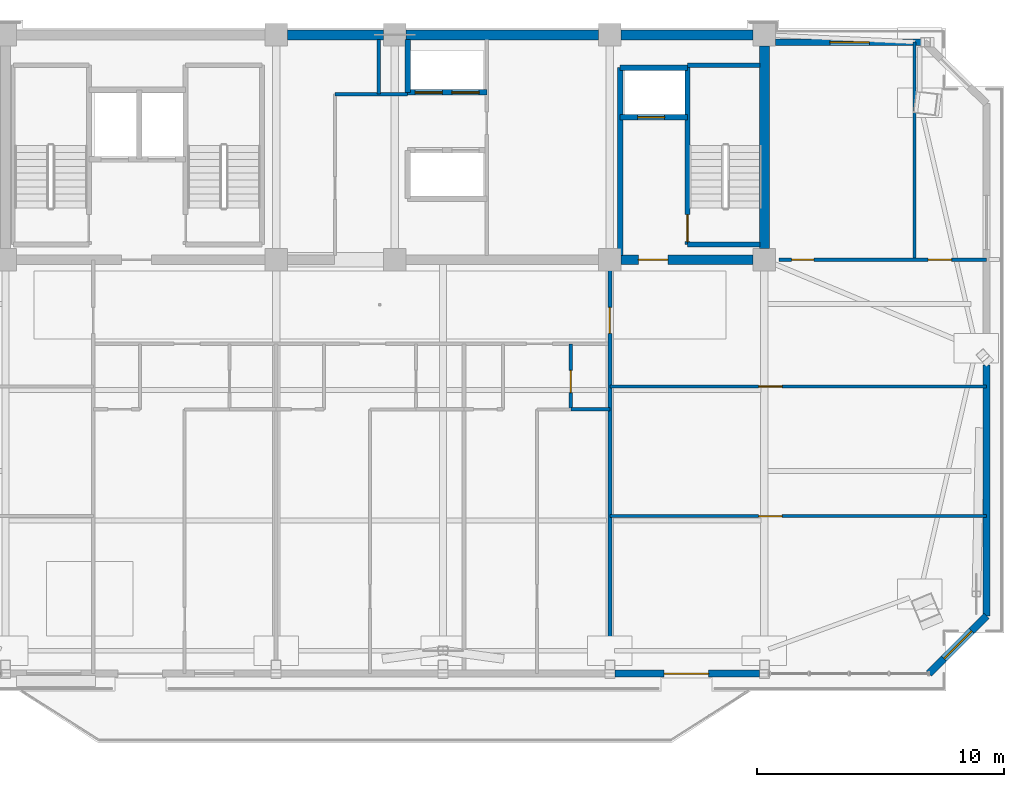
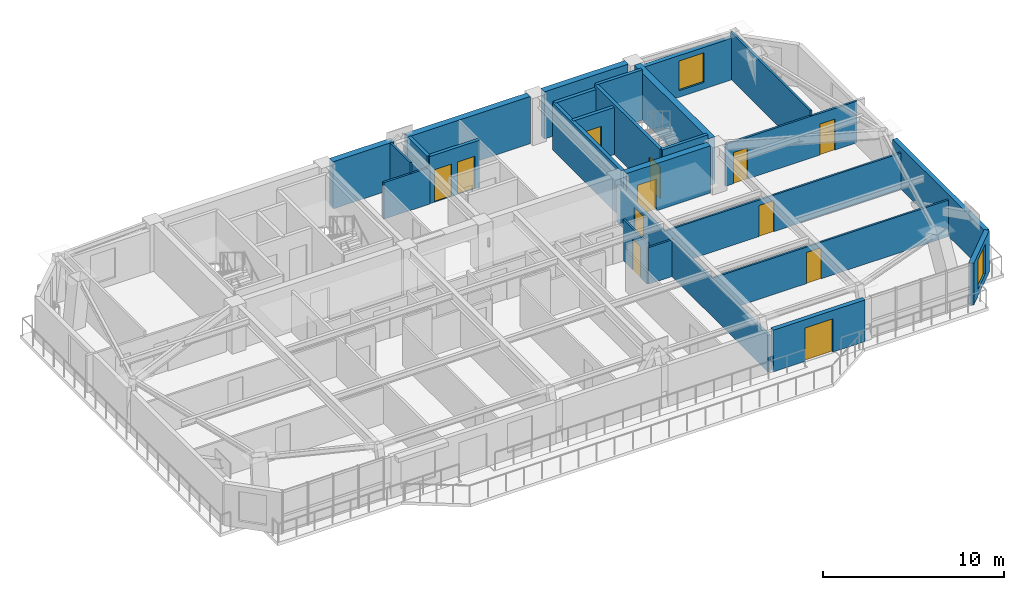
# One storey, part 8 of 14: 26 walls, 12 doors, 2 windows, 14 openings.
"""IFC4 building model written with IfcOpenShell, lengths in metres."""

import ifcopenshell
import ifcopenshell.guid

model = None  # the IFC model being written
_history = None  # IfcOwnerHistory: only IFC2X3 demands one
_inside = {}  # id of a spatial element -> (the spatial element, [elements in it])
_under = {}  # id of a project, library or spatial element -> (it, [spatial elements below it])
_declared = {}  # id of a project -> (the project, [libraries it declares])
_typed = {}  # id of a type object -> (the type object, [elements of that type])
_made_of = {}  # id of a material, layer set ... -> (it, [elements and type objects made of it])


def new_model(schema):
    """Start an empty IFC model of exactly this schema.

    Asked for "IFC4X3", IfcOpenShell would pick the latest addendum, in which some entities
    have other attributes; the version numbers below select the first issue.
    IFC2X3 requires an IfcOwnerHistory on every rooted entity: one is made here for all.
    """
    global model, _history
    if schema == "IFC4X3":
        model = ifcopenshell.file(schema_version=(4, 3, 0, 0))
    else:
        model = ifcopenshell.file(schema=schema)
    _inside.clear()
    _under.clear()
    _declared.clear()
    _typed.clear()
    _made_of.clear()
    _history = None
    if model.schema == "IFC2X3":
        org = make("IfcOrganization", Name="unknown")
        user = make(
            "IfcPersonAndOrganization",
            ThePerson=make("IfcPerson", FamilyName="unknown"),
            TheOrganization=org,
        )
        app = make(
            "IfcApplication",
            ApplicationDeveloper=org,
            Version="unknown",
            ApplicationFullName="unknown",
            ApplicationIdentifier="unknown",
        )
        _history = make(
            "IfcOwnerHistory",
            OwningUser=user,
            OwningApplication=app,
            ChangeAction="ADDED",
            CreationDate=0,
        )
    return model


def make(cls, **values):
    """One entity of the class cls with the attributes given. An attribute that is None is left unset."""
    return model.create_entity(
        cls, **{name: value for name, value in values.items() if value is not None}
    )


def rooted(cls, **values):
    """An entity with a GlobalId (a new one), such as an element, a storey or a relation."""
    return make(cls, GlobalId=ifcopenshell.guid.new(), OwnerHistory=_history, **values)


def si_unit(unit_type, name, prefix=None):
    """IfcSIUnit, for example si_unit("LENGTHUNIT", "METRE", prefix="MILLI")."""
    return make("IfcSIUnit", UnitType=unit_type, Prefix=prefix, Name=name)


def assignment(units):
    """IfcUnitAssignment: the units of a project."""
    return None if units is None else make("IfcUnitAssignment", Units=units)


def point(xyz):
    """IfcCartesianPoint."""
    return None if xyz is None else make("IfcCartesianPoint", Coordinates=xyz)


def direction(xyz):
    """IfcDirection."""
    return None if xyz is None else make("IfcDirection", DirectionRatios=xyz)


def frame(location, z_axis=None, x_axis=None):
    """IfcAxis2Placement3D, a coordinate frame: its origin and axes. An axis left out is left unset."""
    return make(
        "IfcAxis2Placement3D",
        Location=point(location),
        Axis=direction(z_axis),
        RefDirection=direction(x_axis),
    )


def frame_2d(location, x_axis=None):
    """IfcAxis2Placement2D, a coordinate frame in the plane: its origin and x axis."""
    return make(
        "IfcAxis2Placement2D", Location=point(location), RefDirection=direction(x_axis)
    )


def origin():
    """The frame at (0, 0, 0) with its axes left unset."""
    return frame((0.0, 0.0, 0.0))


def place(relative_to, where):
    """IfcLocalPlacement: puts the frame where relative to a parent placement (None: the world)."""
    return make(
        "IfcLocalPlacement", PlacementRelTo=relative_to, RelativePlacement=where
    )


def context(
    kind, dimensions, precision=None, world=None, true_north=None, identifier=None
):
    """IfcGeometricRepresentationContext, for example the 3D "Model" context."""
    return make(
        "IfcGeometricRepresentationContext",
        ContextIdentifier=identifier,
        ContextType=kind,
        CoordinateSpaceDimension=dimensions,
        Precision=precision,
        WorldCoordinateSystem=world,
        TrueNorth=true_north,
    )


def subcontext(parent, identifier, kind, view, scale=None):
    """IfcGeometricRepresentationSubContext, for example "Body" below "Model"."""
    return make(
        "IfcGeometricRepresentationSubContext",
        ContextIdentifier=identifier,
        ContextType=kind,
        ParentContext=parent,
        TargetScale=scale,
        TargetView=view,
    )


def project(units=None, contexts=None):
    """IfcProject with its units and contexts."""
    return rooted(
        "IfcProject",
        Name="project",
        RepresentationContexts=contexts,
        UnitsInContext=assignment(units),
    )


def spatial(cls, under=None, at=None, **own):
    """A site, building, storey or space (cls), placed at a placement, below another one or the project."""
    s = rooted(cls, ObjectPlacement=at, **own)
    if under is not None:
        _under.setdefault(under.id(), (under, []))[1].append(s)
    return s


def profile(cls, at=None, kind="AREA", **sizes):
    """A parametric profile (cls). Its sizes go by their IFC names, for example OverallWidth=200.0."""
    return make(cls, ProfileType=kind, Position=at, **sizes)


def rectangle(**sizes):
    """IfcRectangleProfileDef."""
    return profile("IfcRectangleProfileDef", **sizes)


def extrude(swept, where, along, depth):
    """IfcExtrudedAreaSolid: the profile swept, set in the frame where, extruded along a direction by depth."""
    return make(
        "IfcExtrudedAreaSolid",
        SweptArea=swept,
        Position=where,
        ExtrudedDirection=direction(along),
        Depth=depth,
    )


def shape(context_of_items, identifier, shape_type, items):
    """IfcShapeRepresentation: the items that make up one representation, for example the "Body"."""
    return make(
        "IfcShapeRepresentation",
        ContextOfItems=context_of_items,
        RepresentationIdentifier=identifier,
        RepresentationType=shape_type,
        Items=items,
    )


def source(mapping_origin, context_of_items, identifier, shape_type, items):
    """IfcRepresentationMap: a shape defined once, which mapped items show again and again."""
    return make(
        "IfcRepresentationMap",
        MappingOrigin=mapping_origin,
        MappedRepresentation=shape(context_of_items, identifier, shape_type, items),
    )


def transform(
    local_origin,
    x_axis=None,
    y_axis=None,
    z_axis=None,
    scale=None,
    scale2=None,
    scale3=None,
    uniform=True,
):
    """IfcCartesianTransformationOperator3D, or its non-uniform kind. x_axis, y_axis, z_axis: its Axis1, 2, 3."""
    if uniform:
        return make(
            "IfcCartesianTransformationOperator3D",
            Axis1=direction(x_axis),
            Axis2=direction(y_axis),
            LocalOrigin=point(local_origin),
            Scale=scale,
            Axis3=direction(z_axis),
        )
    return make(
        "IfcCartesianTransformationOperator3DnonUniform",
        Axis1=direction(x_axis),
        Axis2=direction(y_axis),
        LocalOrigin=point(local_origin),
        Scale=scale,
        Axis3=direction(z_axis),
        Scale2=scale2,
        Scale3=scale3,
    )


def mapped(mapping_source, mapping_target):
    """IfcMappedItem: shows the shape of a source again, moved by a transform."""
    return make(
        "IfcMappedItem", MappingSource=mapping_source, MappingTarget=mapping_target
    )


def material(Name=None, Category=None):
    """IfcMaterial."""
    return make("IfcMaterial", Name=Name, Category=Category)


def layer(
    of_material, thickness, ventilated=None, Name=None, Category=None, Priority=None
):
    """IfcMaterialLayer: one layer of a wall or slab, of a material (None: an air gap)."""
    return make(
        "IfcMaterialLayer",
        Material=of_material,
        LayerThickness=thickness,
        IsVentilated=ventilated,
        Name=Name,
        Category=Category,
        Priority=Priority,
    )


def layer_set(layers, Name=None):
    """IfcMaterialLayerSet."""
    return make("IfcMaterialLayerSet", MaterialLayers=layers, LayerSetName=Name)


def made_of(thing, what):
    """Note that an element or type object is made of a material, layer set ...; save() writes the relation."""
    if what is not None:
        _made_of.setdefault(what.id(), (what, []))[1].append(thing)
    return thing


def type_object(cls, material=None, **own):
    """A type object (cls), such as IfcWallType, which elements share."""
    return made_of(rooted(cls, **own), material)


def element(
    cls,
    number,
    at=None,
    inside=None,
    cuts=None,
    type_object=None,
    material=None,
    context=None,
    identifier="Body",
    shape_type=None,
    held_by="IfcProductDefinitionShape",
    body=None,
    shapes=None,
    **own,
):
    """One element of the class cls, such as IfcWall. Its Tag is "e" and its number.

    at: its placement. inside: the storey or other place that contains it. cuts: it is an
    opening in that element (IfcRelVoidsElement). A single representation is given by context,
    identifier, shape_type and body (its items); several are given by shapes. held_by: the class
    of the entity that holds the representations. save() writes the other relations.
    """
    e = rooted(cls, Tag="e%d" % number, ObjectPlacement=at, **own)
    if body is not None:
        shapes = [shape(context, identifier, shape_type, body)]
    if shapes is not None:
        e.Representation = make(held_by, Representations=shapes)
    if inside is not None:
        _inside.setdefault(inside.id(), (inside, []))[1].append(e)
    if cuts is not None:
        rooted(
            "IfcRelVoidsElement", RelatingBuildingElement=cuts, RelatedOpeningElement=e
        )
    if type_object is not None:
        _typed.setdefault(type_object.id(), (type_object, []))[1].append(e)
    return made_of(e, material)


def fill(opening, filler):
    """IfcRelFillsElement: the door or window that sits in an opening."""
    return rooted(
        "IfcRelFillsElement",
        RelatingOpeningElement=opening,
        RelatedBuildingElement=filler,
    )


def aggregate(whole, parts):
    """IfcRelAggregates: a whole, such as a stair, and the parts it consists of."""
    return rooted("IfcRelAggregates", RelatingObject=whole, RelatedObjects=parts)


def save(model, path):
    """Write the relations noted so far, then the file.

    IfcRelAggregates (storeys below a building ...), IfcRelContainedInSpatialStructure (elements
    in a storey), IfcRelDefinesByType, IfcRelAssociatesMaterial and IfcRelDeclares: one each for
    every whole, place, type object, material and project.
    """
    for whole, parts in _under.values():
        aggregate(whole, parts)
    for where, things in _inside.values():
        rooted(
            "IfcRelContainedInSpatialStructure",
            RelatedElements=things,
            RelatingStructure=where,
        )
    for kind, things in _typed.values():
        rooted("IfcRelDefinesByType", RelatedObjects=things, RelatingType=kind)
    for what, things in _made_of.values():
        rooted("IfcRelAssociatesMaterial", RelatedObjects=things, RelatingMaterial=what)
    for by, libraries in _declared.values():
        rooted("IfcRelDeclares", RelatingContext=by, RelatedDefinitions=libraries)
    model.write(path)


model = new_model("IFC4")

# Units and contexts
model_context = context("Model", 3, precision=1e-05, world=origin(), true_north=direction((0.0, 1.0)))
body_context = subcontext(model_context, "Body", "Model", "MODEL_VIEW")
ifc_project = project(units=[si_unit("LENGTHUNIT", "METRE"), si_unit("AREAUNIT", "SQUARE_METRE"), si_unit("VOLUMEUNIT", "CUBIC_METRE"), si_unit("PLANEANGLEUNIT", "RADIAN"), si_unit("MASSUNIT", "GRAM", prefix="KILO")], contexts=[model_context])

# Site, building, storey
site_placement = place(None, origin())
site = spatial("IfcSite", under=ifc_project, at=site_placement, CompositionType="ELEMENT")
building_placement = place(site_placement, origin())
building = spatial("IfcBuilding", under=site, at=building_placement, Name="Giltprow Tower", CompositionType="ELEMENT")
storey_placement = place(building_placement, frame((0.0, 0.0, 321.0)))
storey = spatial("IfcBuildingStorey", under=building, at=storey_placement, Name="L83", CompositionType="ELEMENT", Elevation=321.0)

# Wall, opening, window
ifc_material_1 = material(Name="Precast concrete C40", Category="concrete")
ifc_layer_1 = layer(ifc_material_1, 0.300048828125, Name="Precast concrete C40")
ifc_layer_set_1 = layer_set([ifc_layer_1], Name="Precast concrete C40")
wall_type_1 = type_object("IfcWallType", Name="EW-NOTCH-CHAMFER-300", PredefinedType="SOLIDWALL", material=ifc_layer_set_1)
wall_1_placement = place(storey_placement, frame((57.2080078125, 20.7041015625, 0.0), z_axis=(0.0, 0.0, 1.0), x_axis=(0.707106781187, 0.707106781187, 0.0)))
wall_1 = element("IfcWall", 1, at=wall_1_placement, inside=storey, type_object=wall_type_1, Name="L83 Corner Notch Wall SE", PredefinedType="SOLIDWALL", context=body_context, shape_type="SweptSolid", body=[
    extrude(rectangle(XDim=3.306396484375, YDim=0.300048828125, at=frame_2d((1.6533203125, 0.0))), origin(), (0.0, 0.0, 1.0), 2.81494140625),
])
opening_1_placement = place(wall_1_placement, frame((0.85302734375, 0.0, 0.449951171875)))
opening_1 = element("IfcOpeningElement", 2, at=opening_1_placement, cuts=wall_1, Name="Opening WN17", PredefinedType="OPENING", context=body_context, shape_type="SweptSolid", body=[
    extrude(rectangle(XDim=1.60009765625, YDim=2.0, at=frame_2d((0.800048828125, 1.0))), frame((0.0, 0.159912109375, 0.0), z_axis=(0.0, -1.0, 0.0), x_axis=(1.0, 0.0, 0.0)), (0.0, 0.0, 1.0), 0.320068359375),
])
ifc_material_2 = material(Name="Insulated glass", Category="glass")
window_type = type_object("IfcWindowType", Name="WN-COR-1600x2000", PartitioningType="SINGLE_PANEL", PredefinedType="WINDOW", material=ifc_material_2)
shared_shape_1 = source(origin(), body_context, "Body", "SweptSolid", [
    extrude(rectangle(XDim=1.60009765625, YDim=2.0, at=frame_2d((0.800048828125, 1.0))), frame((0.0, 0.030029296875, 0.0), z_axis=(0.0, -1.0, 0.0), x_axis=(1.0, 0.0, 0.0)), (0.0, 0.0, 1.0), 0.06005859375),
])
window_1_placement = place(opening_1_placement, origin())
window_1 = element("IfcWindow", 3, at=window_1_placement, inside=storey, type_object=window_type, Name="L83 Corner Notch Window SE", OverallHeight=2.0, OverallWidth=1.60009765625, PartitioningType="SINGLE_PANEL", PredefinedType="WINDOW", context=body_context, shape_type="MappedRepresentation", body=[
    mapped(shared_shape_1, transform((0.0, 0.0, 0.0), x_axis=(1.0, 0.0, 0.0), y_axis=(0.0, 1.0, 0.0), z_axis=(0.0, 0.0, 1.0), scale=1.0)),
])
fill(opening_1, window_1)

# Wall, opening, door
ifc_layer_2 = layer(ifc_material_1, 0.280029296875, Name="Precast concrete C40")
ifc_layer_set_2 = layer_set([ifc_layer_2], Name="Precast concrete C40")
wall_type_2 = type_object("IfcWallType", Name="EW-TOW-BRONZE-280", PredefinedType="SOLIDWALL", material=ifc_layer_set_2)
wall_2_placement = place(storey_placement, frame((44.5, 20.7041015625, 0.0), z_axis=(0.0, 0.0, 1.0), x_axis=(1.0, 0.0, 0.0)))
wall_2 = element("IfcWall", 4, at=wall_2_placement, inside=storey, type_object=wall_type_2, Name="L83 South Expressed Frame Wall 5", PredefinedType="SOLIDWALL", context=body_context, shape_type="SweptSolid", body=[
    extrude(rectangle(XDim=5.85009765625, YDim=0.280029296875, at=frame_2d((2.925048828125, 0.0))), origin(), (0.0, 0.0, 1.0), 2.81494140625),
])
opening_2_placement = place(wall_2_placement, frame((2.0, 0.0, 0.0)))
opening_2 = element("IfcOpeningElement", 5, at=opening_2_placement, cuts=wall_2, Name="Opening ED25", PredefinedType="OPENING", context=body_context, shape_type="SweptSolid", body=[
    extrude(rectangle(XDim=1.800048828125, YDim=2.25, at=frame_2d((0.89990234375, 1.125))), frame((0.0, 0.14990234375, 0.0), z_axis=(0.0, -1.0, 0.0), x_axis=(1.0, 0.0, 0.0)), (0.0, 0.0, 1.0), 0.300048828125),
])
ifc_material_3 = material(Name="Anodized bronze and glass", Category="glass")
door_type_1 = type_object("IfcDoorType", Name="DR-BALC-SLIDE-1800", OperationType="SLIDING_TO_LEFT", PredefinedType="DOOR", material=ifc_material_3)
shared_shape_2 = source(origin(), body_context, "Body", "SweptSolid", [
    extrude(rectangle(XDim=1.800048828125, YDim=2.25, at=frame_2d((0.89990234375, 1.125))), frame((0.0, 0.02490234375, 0.0), z_axis=(0.0, -1.0, 0.0), x_axis=(1.0, 0.0, 0.0)), (0.0, 0.0, 1.0), 0.050048828125),
])
door_1_placement = place(opening_2_placement, origin())
door_1 = element("IfcDoor", 6, at=door_1_placement, inside=storey, type_object=door_type_1, Name="L83 Waterfront Balcony Sliding Door 2", OperationType="SLIDING_TO_LEFT", OverallHeight=2.25, OverallWidth=1.800048828125, PredefinedType="DOOR", context=body_context, shape_type="MappedRepresentation", body=[
    mapped(shared_shape_2, transform((0.0, 0.0, 0.0), x_axis=(1.0, 0.0, 0.0), y_axis=(0.0, 1.0, 0.0), z_axis=(0.0, 0.0, 1.0), scale=1.0)),
])
fill(opening_2, door_1)

# Wall
wall_3_placement = place(storey_placement, frame((59.5458984375, 23.0419921875, 0.0), z_axis=(0.0, 0.0, 1.0), x_axis=(0.0, 1.0, 0.0)))
element("IfcWall", 7, at=wall_3_placement, inside=storey, type_object=wall_type_2, Name="L83 E Wing Masonry Wall 1", PredefinedType="SOLIDWALL", context=body_context, shape_type="SweptSolid", body=[
    extrude(rectangle(XDim=10.159912109375, YDim=0.280029296875, at=frame_2d((5.080078125, 0.0))), origin(), (0.0, 0.0, 1.0), 2.81494140625),
])

# Wall, opening, window
wall_4_placement = place(storey_placement, frame((51.0, 46.25, 0.0), z_axis=(0.0, 0.0, 1.0), x_axis=(1.0, 0.0, 0.0)))
wall_4 = element("IfcWall", 8, at=wall_4_placement, inside=storey, type_object=wall_type_2, Name="L83 North-East Wing Wall", PredefinedType="SOLIDWALL", context=body_context, shape_type="SweptSolid", body=[
    extrude(rectangle(XDim=6.008056640625, YDim=0.280029296875, at=frame_2d((3.00390625, 0.0))), origin(), (0.0, 0.0, 1.0), 2.81494140625),
])
opening_3_placement = place(wall_4_placement, frame((2.2041015625, 0.0, 0.449951171875)))
opening_3 = element("IfcOpeningElement", 9, at=opening_3_placement, cuts=wall_4, Name="Opening WN17", PredefinedType="OPENING", context=body_context, shape_type="SweptSolid", body=[
    extrude(rectangle(XDim=1.60009765625, YDim=2.0, at=frame_2d((0.800048828125, 1.0))), frame((0.0, 0.14990234375, 0.0), z_axis=(0.0, -1.0, 0.0), x_axis=(1.0, 0.0, 0.0)), (0.0, 0.0, 1.0), 0.300048828125),
])
window_2_placement = place(opening_3_placement, origin())
window_2 = element("IfcWindow", 10, at=window_2_placement, inside=storey, type_object=window_type, Name="L83 North-East Window", OverallHeight=2.0, OverallWidth=1.60009765625, PartitioningType="SINGLE_PANEL", PredefinedType="WINDOW", context=body_context, shape_type="MappedRepresentation", body=[
    mapped(shared_shape_1, transform((0.0, 0.0, 0.0), x_axis=(1.0, 0.0, 0.0), y_axis=(0.0, 1.0, 0.0), z_axis=(0.0, 0.0, 1.0), scale=1.0)),
])
fill(opening_3, window_2)

# Wall, opening, door
ifc_material_4 = material(Name="Gypsum stud partition", Category="gypsum")
ifc_layer_3 = layer(ifc_material_4, 0.159912109375, Name="Gypsum stud partition")
ifc_layer_set_3 = layer_set([ifc_layer_3], Name="Gypsum stud partition")
wall_type_3 = type_object("IfcWallType", Name="IW-DEMISE-160", PredefinedType="PARTITIONING", material=ifc_layer_set_3)
wall_5_placement = place(storey_placement, frame((44.300048828125, 20.7041015625, 0.0), z_axis=(0.0, 0.0, 1.0), x_axis=(0.0, 1.0, 0.0)))
wall_5 = element("IfcWall", 11, at=wall_5_placement, inside=storey, type_object=wall_type_3, Name="L83 Apartment Party Wall 4", PredefinedType="PARTITIONING", context=body_context, shape_type="SweptSolid", body=[
    extrude(rectangle(XDim=16.745849609375, YDim=0.159912109375, at=frame_2d((8.373046875, 0.0))), origin(), (0.0, 0.0, 1.0), 2.469970703125),
])
opening_4_placement = place(wall_5_placement, frame((13.76611328125, 0.0, 0.0)))
opening_4 = element("IfcOpeningElement", 12, at=opening_4_placement, cuts=wall_5, Name="Opening ID31", PredefinedType="OPENING", context=body_context, shape_type="SweptSolid", body=[
    extrude(rectangle(XDim=1.050048828125, YDim=2.14990234375, at=frame_2d((0.52490234375, 1.074951171875))), frame((0.0, 0.08984375, 0.0), z_axis=(0.0, -1.0, 0.0), x_axis=(1.0, 0.0, 0.0)), (0.0, 0.0, 1.0), 0.179931640625),
])
ifc_material_5 = material(Name="Engineered timber", Category="wood")
door_type_2 = type_object("IfcDoorType", Name="DR-SUITE-1050", OperationType="SINGLE_SWING_LEFT", PredefinedType="DOOR", material=ifc_material_5)
shared_shape_3 = source(origin(), body_context, "Body", "SweptSolid", [
    extrude(rectangle(XDim=1.050048828125, YDim=2.14990234375, at=frame_2d((0.52490234375, 1.074951171875))), frame((0.0, 0.02490234375, 0.0), z_axis=(0.0, -1.0, 0.0), x_axis=(1.0, 0.0, 0.0)), (0.0, 0.0, 1.0), 0.050048828125),
])
door_2_placement = place(opening_4_placement, origin())
door_2 = element("IfcDoor", 13, at=door_2_placement, inside=storey, type_object=door_type_2, Name="L83 Silverware Vault Reading Lounge Corridor End Door", OperationType="SINGLE_SWING_LEFT", OverallHeight=2.14990234375, OverallWidth=1.050048828125, PredefinedType="DOOR", context=body_context, shape_type="MappedRepresentation", body=[
    mapped(shared_shape_3, transform((0.0, 0.0, 0.0), x_axis=(1.0, 0.0, 0.0), y_axis=(0.0, 1.0, 0.0), z_axis=(0.0, 0.0, 1.0), scale=1.0)),
])
fill(opening_4, door_2)

ifc_layer_4 = layer(ifc_material_4, 0.1201171875, Name="Gypsum stud partition")
ifc_layer_set_4 = layer_set([ifc_layer_4], Name="Gypsum stud partition")
wall_type_4 = type_object("IfcWallType", Name="IW-ROOM-120", PredefinedType="PARTITIONING", material=ifc_layer_set_4)
wall_6_placement = place(storey_placement, frame((44.300048828125, 27.076904296875, 0.0), z_axis=(0.0, 0.0, 1.0), x_axis=(1.0, 0.0, 0.0)))
wall_6 = element("IfcWall", 14, at=wall_6_placement, inside=storey, type_object=wall_type_4, Name="L83 Special Split 1", PredefinedType="PARTITIONING", context=body_context, shape_type="SweptSolid", body=[
    extrude(rectangle(XDim=15.245849609375, YDim=0.1201171875, at=frame_2d((7.623046875, 0.0))), origin(), (0.0, 0.0, 1.0), 2.469970703125),
])
opening_5_placement = place(wall_6_placement, frame((6.01806640625, 0.0, 0.0)))
opening_5 = element("IfcOpeningElement", 15, at=opening_5_placement, cuts=wall_6, Name="Opening ID11", PredefinedType="OPENING", context=body_context, shape_type="SweptSolid", body=[
    extrude(rectangle(XDim=0.949951171875, YDim=2.10009765625, at=frame_2d((0.47509765625, 1.050048828125))), frame((0.0, 0.070068359375, 0.0), z_axis=(0.0, -1.0, 0.0), x_axis=(1.0, 0.0, 0.0)), (0.0, 0.0, 1.0), 0.14013671875),
])
door_type_3 = type_object("IfcDoorType", Name="DR-ROOM-950", OperationType="SINGLE_SWING_RIGHT", PredefinedType="DOOR", material=ifc_material_5)
shared_shape_4 = source(origin(), body_context, "Body", "SweptSolid", [
    extrude(rectangle(XDim=0.949951171875, YDim=2.10009765625, at=frame_2d((0.47509765625, 1.050048828125))), frame((0.0, 0.02490234375, 0.0), z_axis=(0.0, -1.0, 0.0), x_axis=(1.0, 0.0, 0.0)), (0.0, 0.0, 1.0), 0.050048828125),
])
door_3_placement = place(opening_5_placement, origin())
door_3 = element("IfcDoor", 16, at=door_3_placement, inside=storey, type_object=door_type_3, Name="L83 Silverware Vault Reading Lounge South Door", OperationType="SINGLE_SWING_LEFT", OverallHeight=2.10009765625, OverallWidth=0.949951171875, PredefinedType="DOOR", context=body_context, shape_type="MappedRepresentation", body=[
    mapped(shared_shape_4, transform((0.0, 0.0, 0.0), x_axis=(1.0, 0.0, 0.0), y_axis=(0.0, 1.0, 0.0), z_axis=(0.0, 0.0, 1.0), scale=1.0)),
])
fill(opening_5, door_3)

wall_7_placement = place(storey_placement, frame((44.300048828125, 32.318115234375, 0.0), z_axis=(0.0, 0.0, 1.0), x_axis=(1.0, 0.0, 0.0)))
wall_7 = element("IfcWall", 17, at=wall_7_placement, inside=storey, type_object=wall_type_4, Name="L83 Special Split 2", PredefinedType="PARTITIONING", context=body_context, shape_type="SweptSolid", body=[
    extrude(rectangle(XDim=15.245849609375, YDim=0.1201171875, at=frame_2d((7.623046875, 0.0))), origin(), (0.0, 0.0, 1.0), 2.469970703125),
])
opening_6_placement = place(wall_7_placement, frame((6.01806640625, 0.0, 0.0)))
opening_6 = element("IfcOpeningElement", 18, at=opening_6_placement, cuts=wall_7, Name="Opening ID11", PredefinedType="OPENING", context=body_context, shape_type="SweptSolid", body=[
    extrude(rectangle(XDim=0.949951171875, YDim=2.10009765625, at=frame_2d((0.47509765625, 1.050048828125))), frame((0.0, 0.070068359375, 0.0), z_axis=(0.0, -1.0, 0.0), x_axis=(1.0, 0.0, 0.0)), (0.0, 0.0, 1.0), 0.14013671875),
])
door_4_placement = place(opening_6_placement, origin())
door_4 = element("IfcDoor", 19, at=door_4_placement, inside=storey, type_object=door_type_3, Name="L83 Silverware Vault Reading Lounge Mid Door", OperationType="SINGLE_SWING_RIGHT", OverallHeight=2.10009765625, OverallWidth=0.949951171875, PredefinedType="DOOR", context=body_context, shape_type="MappedRepresentation", body=[
    mapped(shared_shape_4, transform((0.0, 0.0, 0.0), x_axis=(1.0, 0.0, 0.0), y_axis=(0.0, 1.0, 0.0), z_axis=(0.0, 0.0, 1.0), scale=1.0)),
])
fill(opening_6, door_4)

ifc_material_6 = material(Name="Concrete C40", Category="concrete")
ifc_layer_5 = layer(ifc_material_6, 0.219970703125, Name="Concrete C40")
ifc_layer_set_5 = layer_set([ifc_layer_5], Name="Concrete C40")
wall_type_5 = type_object("IfcWallType", Name="IW-SHAFT-220", PredefinedType="SOLIDWALL", material=ifc_layer_set_5)
wall_8_placement = place(storey_placement, frame((44.719970703125, 43.219970703125, 0.0), z_axis=(0.0, 0.0, 1.0), x_axis=(1.0, 0.0, 0.0)))
wall_8 = element("IfcWall", 20, at=wall_8_placement, inside=storey, type_object=wall_type_5, Name="L83 FFL2 Front Shaft Wall", PredefinedType="SOLIDWALL", context=body_context, shape_type="SweptSolid", body=[
    extrude(rectangle(XDim=2.719970703125, YDim=0.219970703125, at=frame_2d((1.35986328125, 0.0))), origin(), (0.0, 0.0, 1.0), 3.18505859375),
])
opening_7_placement = place(wall_8_placement, frame((0.699951171875, 0.0, 0.0)))
opening_7 = element("IfcOpeningElement", 21, at=opening_7_placement, cuts=wall_8, Name="Opening LD-11", PredefinedType="OPENING", context=body_context, shape_type="SweptSolid", body=[
    extrude(rectangle(XDim=1.10009765625, YDim=2.199951171875, at=frame_2d((0.550048828125, 1.10009765625))), frame((0.0, 0.119873046875, 0.0), z_axis=(0.0, -1.0, 0.0), x_axis=(1.0, 0.0, 0.0)), (0.0, 0.0, 1.0), 0.239990234375),
])
ifc_material_7 = material(Name="Stainless steel", Category="steel")
door_type_4 = type_object("IfcDoorType", Name="DR-LIFT-LD1100", OperationType="SLIDING_TO_LEFT", PredefinedType="DOOR", material=ifc_material_7)
shared_shape_5 = source(origin(), body_context, "Body", "SweptSolid", [
    extrude(rectangle(XDim=1.10009765625, YDim=2.199951171875, at=frame_2d((0.550048828125, 1.10009765625))), frame((0.0, 0.02490234375, 0.0), z_axis=(0.0, -1.0, 0.0), x_axis=(1.0, 0.0, 0.0)), (0.0, 0.0, 1.0), 0.050048828125),
])
door_5_placement = place(opening_7_placement, origin())
door_5 = element("IfcDoor", 22, at=door_5_placement, inside=storey, type_object=door_type_4, Name="L83 FFL2 Landing Door", OperationType="SLIDING_TO_LEFT", OverallHeight=2.199951171875, OverallWidth=1.10009765625, PredefinedType="DOOR", context=body_context, shape_type="MappedRepresentation", body=[
    mapped(shared_shape_5, transform((0.0, 0.0, 0.0), x_axis=(1.0, 0.0, 0.0), y_axis=(0.0, 1.0, 0.0), z_axis=(0.0, 0.0, 1.0), scale=1.0)),
])
fill(opening_7, door_5)

# Walls
wall_9_placement = place(storey_placement, frame((44.719970703125, 45.219970703125, 0.0), z_axis=(0.0, 0.0, 1.0), x_axis=(1.0, 0.0, 0.0)))
element("IfcWall", 23, at=wall_9_placement, inside=storey, type_object=wall_type_5, Name="L83 FFL2 Back Shaft Wall", PredefinedType="SOLIDWALL", context=body_context, shape_type="SweptSolid", body=[
    extrude(rectangle(XDim=2.719970703125, YDim=0.219970703125, at=frame_2d((1.35986328125, 0.0))), origin(), (0.0, 0.0, 1.0), 3.18505859375),
])
wall_10_placement = place(storey_placement, frame((44.719970703125, 37.6298828125, 0.0), z_axis=(0.0, 0.0, 1.0), x_axis=(0.0, 1.0, 0.0)))
element("IfcWall", 24, at=wall_10_placement, inside=storey, type_object=wall_type_5, Name="L83 East Firefighting Lobby West Wall", PredefinedType="SOLIDWALL", context=body_context, shape_type="SweptSolid", body=[
    extrude(rectangle(XDim=7.590087890625, YDim=0.219970703125, at=frame_2d((3.794921875, 0.0))), origin(), (0.0, 0.0, 1.0), 3.18505859375),
])

# Wall, openings, doors
wall_11_placement = place(storey_placement, frame((36.1201171875, 44.219970703125, 0.0), z_axis=(0.0, 0.0, 1.0), x_axis=(1.0, 0.0, 0.0)))
wall_11 = element("IfcWall", 25, at=wall_11_placement, inside=storey, type_object=wall_type_5, Name="L83 High-Rise Lift Shaft Front Wall N", PredefinedType="SOLIDWALL", context=body_context, shape_type="SweptSolid", body=[
    extrude(rectangle(XDim=3.199951171875, YDim=0.219970703125, at=frame_2d((1.60009765625, 0.0))), origin(), (0.0, 0.0, 1.0), 3.18505859375),
])
opening_8_placement = place(wall_11_placement, frame((0.300048828125, 0.0, 0.0)))
opening_8 = element("IfcOpeningElement", 26, at=opening_8_placement, cuts=wall_11, Name="Opening LD-11", PredefinedType="OPENING", context=body_context, shape_type="SweptSolid", body=[
    extrude(rectangle(XDim=1.10009765625, YDim=2.199951171875, at=frame_2d((0.550048828125, 1.10009765625))), frame((0.0, 0.119873046875, 0.0), z_axis=(0.0, -1.0, 0.0), x_axis=(1.0, 0.0, 0.0)), (0.0, 0.0, 1.0), 0.239990234375),
])
opening_9_placement = place(wall_11_placement, frame((1.7900390625, 0.0, 0.0)))
opening_9 = element("IfcOpeningElement", 27, at=opening_9_placement, cuts=wall_11, Name="Opening LD-11", PredefinedType="OPENING", context=body_context, shape_type="SweptSolid", body=[
    extrude(rectangle(XDim=1.10009765625, YDim=2.199951171875, at=frame_2d((0.550048828125, 1.10009765625))), frame((0.0, 0.119873046875, 0.0), z_axis=(0.0, -1.0, 0.0), x_axis=(1.0, 0.0, 0.0)), (0.0, 0.0, 1.0), 0.239990234375),
])
door_6_placement = place(opening_8_placement, origin())
door_6 = element("IfcDoor", 28, at=door_6_placement, inside=storey, type_object=door_type_4, Name="L83 PL-H1 Landing Door", OperationType="SLIDING_TO_LEFT", OverallHeight=2.199951171875, OverallWidth=1.10009765625, PredefinedType="DOOR", context=body_context, shape_type="MappedRepresentation", body=[
    mapped(shared_shape_5, transform((0.0, 0.0, 0.0), x_axis=(1.0, 0.0, 0.0), y_axis=(0.0, 1.0, 0.0), z_axis=(0.0, 0.0, 1.0), scale=1.0)),
])
fill(opening_8, door_6)
door_7_placement = place(opening_9_placement, origin())
door_7 = element("IfcDoor", 29, at=door_7_placement, inside=storey, type_object=door_type_4, Name="L83 PL-H2 Landing Door", OperationType="SLIDING_TO_LEFT", OverallHeight=2.199951171875, OverallWidth=1.10009765625, PredefinedType="DOOR", context=body_context, shape_type="MappedRepresentation", body=[
    mapped(shared_shape_5, transform((0.0, 0.0, 0.0), x_axis=(1.0, 0.0, 0.0), y_axis=(0.0, 1.0, 0.0), z_axis=(0.0, 0.0, 1.0), scale=1.0)),
])
fill(opening_9, door_7)

# Wall
wall_12_placement = place(storey_placement, frame((36.1201171875, 44.219970703125, 0.0), z_axis=(0.0, 0.0, 1.0), x_axis=(0.0, 1.0, 0.0)))
element("IfcWall", 30, at=wall_12_placement, inside=storey, type_object=wall_type_5, Name="L83 High-Rise North Lift West Closure", PredefinedType="SOLIDWALL", context=body_context, shape_type="SweptSolid", body=[
    extrude(rectangle(XDim=2.150146484375, YDim=0.219970703125, at=frame_2d((1.0751953125, 0.0))), origin(), (0.0, 0.0, 1.0), 3.18505859375),
])

# Wall, opening, door
ifc_layer_6 = layer(ifc_material_6, 0.199951171875, Name="Concrete C40")
ifc_layer_set_6 = layer_set([ifc_layer_6], Name="Concrete C40")
wall_type_6 = type_object("IfcWallType", Name="IW-STAIR-200", PredefinedType="SOLIDWALL", material=ifc_layer_set_6)
wall_13_placement = place(storey_placement, frame((47.43994140625, 38.070068359375, 0.0), z_axis=(0.0, 0.0, 1.0), x_axis=(0.0, 1.0, 0.0)))
wall_13 = element("IfcWall", 31, at=wall_13_placement, inside=storey, type_object=wall_type_6, Name="L83 Stair ST-3 West Bearing Wall", PredefinedType="SOLIDWALL", context=body_context, shape_type="SweptSolid", body=[
    extrude(rectangle(XDim=7.25, YDim=0.199951171875, at=frame_2d((3.625, 0.0))), origin(), (0.0, 0.0, 1.0), 3.39990234375),
])
opening_10_placement = place(wall_13_placement, frame((0.110107421875, 0.0, 0.0)))
opening_10 = element("IfcOpeningElement", 32, at=opening_10_placement, cuts=wall_13, Name="Opening ID33", PredefinedType="OPENING", context=body_context, shape_type="SweptSolid", body=[
    extrude(rectangle(XDim=1.10009765625, YDim=2.14990234375, at=frame_2d((0.550048828125, 1.074951171875))), frame((0.0, 0.10986328125, 0.0), z_axis=(0.0, -1.0, 0.0), x_axis=(1.0, 0.0, 0.0)), (0.0, 0.0, 1.0), 0.219970703125),
])
ifc_material_8 = material(Name="Steel fire leaf", Category="steel")
door_type_5 = type_object("IfcDoorType", Name="DR-STAIR-1100", OperationType="SINGLE_SWING_LEFT", PredefinedType="DOOR", material=ifc_material_8)
shared_shape_6 = source(origin(), body_context, "Body", "SweptSolid", [
    extrude(rectangle(XDim=1.10009765625, YDim=2.14990234375, at=frame_2d((0.550048828125, 1.074951171875))), frame((0.0, 0.02490234375, 0.0), z_axis=(0.0, -1.0, 0.0), x_axis=(1.0, 0.0, 0.0)), (0.0, 0.0, 1.0), 0.050048828125),
])
door_8_placement = place(opening_10_placement, origin())
door_8 = element("IfcDoor", 33, at=door_8_placement, inside=storey, type_object=door_type_5, Name="L83 Stair ST-3 Fire Door", OperationType="SINGLE_SWING_LEFT", OverallHeight=2.14990234375, OverallWidth=1.10009765625, PredefinedType="DOOR", context=body_context, shape_type="MappedRepresentation", body=[
    mapped(shared_shape_6, transform((0.0, 0.0, 0.0), x_axis=(1.0, 0.0, 0.0), y_axis=(0.0, 1.0, 0.0), z_axis=(0.0, 0.0, 1.0), scale=1.0)),
])
fill(opening_10, door_8)

# Walls
for number, where, z_axis, x_axis, name in (
    (34, (47.43994140625, 45.320068359375, 0.0), (0.0, 0.0, 1.0), (1.0, 0.0, 0.0), "L83 Stair ST-3 North Bearing Wall"),
    (35, (47.43994140625, 38.070068359375, 0.0), (0.0, 0.0, 1.0), (1.0, 0.0, 0.0), "L83 Stair ST-3 South Bearing Wall"),
):
    element("IfcWall", number, at=place(storey_placement, frame(where, z_axis=z_axis, x_axis=x_axis)), inside=storey, type_object=wall_type_6, Name=name, PredefinedType="SOLIDWALL", context=body_context, shape_type="SweptSolid", body=[
        extrude(rectangle(XDim=2.93017578125, YDim=0.199951171875, at=frame_2d((1.465087890625, 0.0))), origin(), (0.0, 0.0, 1.0), 3.39990234375),
    ])
ifc_material_9 = material(Name="Concrete C30", Category="concrete")
ifc_layer_7 = layer(ifc_material_9, 0.1298828125, Name="Concrete C30")
ifc_layer_set_7 = layer_set([ifc_layer_7], Name="Concrete C30")
wall_type_7 = type_object("IfcWallType", Name="IW-WET-130", PredefinedType="PARTITIONING", material=ifc_layer_set_7)
wall_14_placement = place(storey_placement, frame((34.949951171875, 44.14990234375, 0.0), z_axis=(0.0, 0.0, 1.0), x_axis=(0.0, 1.0, 0.0)))
element("IfcWall", 36, at=wall_14_placement, inside=storey, type_object=wall_type_7, Name="L83 Reclaimed West Pocket Wall E", PredefinedType="PARTITIONING", context=body_context, shape_type="SweptSolid", body=[
    extrude(rectangle(XDim=2.22021484375, YDim=0.1298828125, at=frame_2d((1.110107421875, 0.0))), origin(), (0.0, 0.0, 1.0), 3.18505859375),
])
wall_15_placement = place(storey_placement, frame((33.179931640625, 44.14990234375, 0.0), z_axis=(0.0, 0.0, 1.0), x_axis=(1.0, 0.0, 0.0)))
element("IfcWall", 37, at=wall_15_placement, inside=storey, type_object=wall_type_7, Name="L83 Reclaimed West Pocket Wall S", PredefinedType="PARTITIONING", context=body_context, shape_type="SweptSolid", body=[
    extrude(rectangle(XDim=2.940185546875, YDim=0.1298828125, at=frame_2d((1.47021484375, 0.0))), origin(), (0.0, 0.0, 1.0), 2.469970703125),
])
wall_16_placement = place(storey_placement, frame((42.719970703125, 31.39990234375, 0.0), z_axis=(0.0, 0.0, 1.0), x_axis=(1.0, 0.0, 0.0)))
element("IfcWall", 38, at=wall_16_placement, inside=storey, type_object=wall_type_7, Name="L83 Unit 3 Bathroom South Wall", PredefinedType="PARTITIONING", context=body_context, shape_type="SweptSolid", body=[
    extrude(rectangle(XDim=1.580078125, YDim=0.1298828125, at=frame_2d((0.7900390625, 0.0))), origin(), (0.0, 0.0, 1.0), 2.469970703125),
])

# Wall, opening, door
wall_17_placement = place(storey_placement, frame((42.719970703125, 31.39990234375, 0.0), z_axis=(0.0, 0.0, 1.0), x_axis=(0.0, 1.0, 0.0)))
wall_17 = element("IfcWall", 39, at=wall_17_placement, inside=storey, type_object=wall_type_7, Name="L83 Unit 3 Bathroom West Wall", PredefinedType="PARTITIONING", context=body_context, shape_type="SweptSolid", body=[
    extrude(rectangle(XDim=2.650146484375, YDim=0.1298828125, at=frame_2d((1.3251953125, 0.0))), origin(), (0.0, 0.0, 1.0), 2.77001953125),
])
opening_11_placement = place(wall_17_placement, frame((0.669921875, 0.0, 0.0)))
opening_11 = element("IfcOpeningElement", 40, at=opening_11_placement, cuts=wall_17, Name="Opening ID15", PredefinedType="OPENING", context=body_context, shape_type="SweptSolid", body=[
    extrude(rectangle(XDim=0.89990234375, YDim=2.10009765625, at=frame_2d((0.449951171875, 1.050048828125))), frame((0.0, 0.074951171875, 0.0), z_axis=(0.0, -1.0, 0.0), x_axis=(1.0, 0.0, 0.0)), (0.0, 0.0, 1.0), 0.14990234375),
])
door_type_6 = type_object("IfcDoorType", Name="DR-WC-900", OperationType="SINGLE_SWING_LEFT", PredefinedType="DOOR", material=ifc_material_5)
shared_shape_7 = source(origin(), body_context, "Body", "SweptSolid", [
    extrude(rectangle(XDim=0.89990234375, YDim=2.10009765625, at=frame_2d((0.449951171875, 1.050048828125))), frame((0.0, 0.02490234375, 0.0), z_axis=(0.0, -1.0, 0.0), x_axis=(1.0, 0.0, 0.0)), (0.0, 0.0, 1.0), 0.050048828125),
])
door_9_placement = place(opening_11_placement, origin())
door_9 = element("IfcDoor", 41, at=door_9_placement, inside=storey, type_object=door_type_6, Name="L83 Unit 3 Bathroom Door", OperationType="SINGLE_SWING_LEFT", OverallHeight=2.10009765625, OverallWidth=0.89990234375, PredefinedType="DOOR", context=body_context, shape_type="MappedRepresentation", body=[
    mapped(shared_shape_7, transform((0.0, 0.0, 0.0), x_axis=(1.0, 0.0, 0.0), y_axis=(0.0, 1.0, 0.0), z_axis=(0.0, 0.0, 1.0), scale=1.0)),
])
fill(opening_11, door_9)

# Wall, openings, doors
wall_18_placement = place(storey_placement, frame((51.14990234375, 37.449951171875, 0.0), z_axis=(0.0, 0.0, 1.0), x_axis=(1.0, 0.0, 0.0)))
wall_18 = element("IfcWall", 42, at=wall_18_placement, inside=storey, type_object=wall_type_7, Name="L83 NE Wing South Wall", PredefinedType="PARTITIONING", context=body_context, shape_type="SweptSolid", body=[
    extrude(rectangle(XDim=8.39599609375, YDim=0.1298828125, at=frame_2d((4.197998046875, 0.0))), origin(), (0.0, 0.0, 1.0), 2.820068359375),
])
opening_12_placement = place(wall_18_placement, frame((0.5, 0.0, 0.0)))
opening_12 = element("IfcOpeningElement", 43, at=opening_12_placement, cuts=wall_18, Name="Opening ID15", PredefinedType="OPENING", context=body_context, shape_type="SweptSolid", body=[
    extrude(rectangle(XDim=0.89990234375, YDim=2.10009765625, at=frame_2d((0.449951171875, 1.050048828125))), frame((0.0, 0.074951171875, 0.0), z_axis=(0.0, -1.0, 0.0), x_axis=(1.0, 0.0, 0.0)), (0.0, 0.0, 1.0), 0.14990234375),
])
opening_13_placement = place(wall_18_placement, frame((6.027099609375, 0.0, 0.0)))
opening_13 = element("IfcOpeningElement", 44, at=opening_13_placement, cuts=wall_18, Name="Opening ID11", PredefinedType="OPENING", context=body_context, shape_type="SweptSolid", body=[
    extrude(rectangle(XDim=0.949951171875, YDim=2.10009765625, at=frame_2d((0.47509765625, 1.050048828125))), frame((0.0, 0.074951171875, 0.0), z_axis=(0.0, -1.0, 0.0), x_axis=(1.0, 0.0, 0.0)), (0.0, 0.0, 1.0), 0.14990234375),
])
door_10_placement = place(opening_12_placement, origin())
door_10 = element("IfcDoor", 45, at=door_10_placement, inside=storey, type_object=door_type_6, Name="L83 East Wing Washroom Door", OperationType="SINGLE_SWING_RIGHT", OverallHeight=2.10009765625, OverallWidth=0.89990234375, PredefinedType="DOOR", context=body_context, shape_type="MappedRepresentation", body=[
    mapped(shared_shape_7, transform((0.0, 0.0, 0.0), x_axis=(1.0, 0.0, 0.0), y_axis=(0.0, 1.0, 0.0), z_axis=(0.0, 0.0, 1.0), scale=1.0)),
])
fill(opening_12, door_10)
door_11_placement = place(opening_13_placement, origin())
door_11 = element("IfcDoor", 46, at=door_11_placement, inside=storey, type_object=door_type_3, Name="L83 Residents Reading Lounge Door", OperationType="SINGLE_SWING_LEFT", OverallHeight=2.10009765625, OverallWidth=0.949951171875, PredefinedType="DOOR", context=body_context, shape_type="MappedRepresentation", body=[
    mapped(shared_shape_4, transform((0.0, 0.0, 0.0), x_axis=(1.0, 0.0, 0.0), y_axis=(0.0, 1.0, 0.0), z_axis=(0.0, 0.0, 1.0), scale=1.0)),
])
fill(opening_13, door_11)

# Walls
wall_19_placement = place(storey_placement, frame((56.626953125, 37.449951171875, 0.0), z_axis=(0.0, 0.0, 1.0), x_axis=(0.0, 1.0, 0.0)))
element("IfcWall", 47, at=wall_19_placement, inside=storey, type_object=wall_type_7, Name="L83 NE Wing Divider", PredefinedType="PARTITIONING", context=body_context, shape_type="SweptSolid", body=[
    extrude(rectangle(XDim=8.800048828125, YDim=0.1298828125, at=frame_2d((4.39990234375, 0.0))), origin(), (0.0, 0.0, 1.0), 3.18505859375),
])
ifc_material_10 = material(Name="Concrete C45", Category="concrete")
ifc_layer_8 = layer(ifc_material_10, 0.39990234375, Name="Concrete C45")
ifc_layer_set_8 = layer_set([ifc_layer_8], Name="Concrete C45")
wall_type_8 = type_object("IfcWallType", Name="SW-EXT-400-C45", PredefinedType="SHEAR", material=ifc_layer_set_8)
wall_20_placement = place(storey_placement, frame((31.25, 46.550048828125, 0.0), z_axis=(0.0, 0.0, 1.0), x_axis=(1.0, 0.0, 0.0)))
element("IfcWall", 48, at=wall_20_placement, inside=storey, type_object=wall_type_8, Name="L83 North Rear Core Shear Wall 2", PredefinedType="SHEAR", context=body_context, shape_type="SweptSolid", body=[
    extrude(rectangle(XDim=3.89990234375, YDim=0.39990234375, at=frame_2d((1.949951171875, 0.0))), origin(), (0.0, 0.0, 1.0), 3.18505859375),
])
wall_21_placement = place(storey_placement, frame((36.050048828125, 46.550048828125, 0.0), z_axis=(0.0, 0.0, 1.0), x_axis=(1.0, 0.0, 0.0)))
element("IfcWall", 49, at=wall_21_placement, inside=storey, type_object=wall_type_8, Name="L83 North Rear Core Shear Wall 3", PredefinedType="SHEAR", context=body_context, shape_type="SweptSolid", body=[
    extrude(rectangle(XDim=7.800048828125, YDim=0.39990234375, at=frame_2d((3.89990234375, 0.0))), origin(), (0.0, 0.0, 1.0), 3.18505859375),
])
wall_22_placement = place(storey_placement, frame((44.75, 46.550048828125, 0.0), z_axis=(0.0, 0.0, 1.0), x_axis=(1.0, 0.0, 0.0)))
element("IfcWall", 50, at=wall_22_placement, inside=storey, type_object=wall_type_8, Name="L83 North Rear Core Shear Wall 4", PredefinedType="SHEAR", context=body_context, shape_type="SweptSolid", body=[
    extrude(rectangle(XDim=5.35009765625, YDim=0.39990234375, at=frame_2d((2.675048828125, 0.0))), origin(), (0.0, 0.0, 1.0), 3.18505859375),
])

# Wall, opening, door
ifc_layer_9 = layer(ifc_material_10, 0.39990234375, Name="Concrete C45")
ifc_layer_set_9 = layer_set([ifc_layer_9], Name="Concrete C45")
wall_type_9 = type_object("IfcWallType", Name="SW-INT-400-C45", PredefinedType="SHEAR", material=ifc_layer_set_9)
wall_23_placement = place(storey_placement, frame((44.75, 37.449951171875, 0.0), z_axis=(0.0, 0.0, 1.0), x_axis=(1.0, 0.0, 0.0)))
wall_23 = element("IfcWall", 51, at=wall_23_placement, inside=storey, type_object=wall_type_9, Name="L83 South Rear Core Shear Wall East", PredefinedType="SHEAR", context=body_context, shape_type="SweptSolid", body=[
    extrude(rectangle(XDim=5.35009765625, YDim=0.39990234375, at=frame_2d((2.675048828125, 0.0))), origin(), (0.0, 0.0, 1.0), 3.18505859375),
])
opening_14_placement = place(wall_23_placement, frame((0.699951171875, 0.0, 0.0)))
opening_14 = element("IfcOpeningElement", 52, at=opening_14_placement, cuts=wall_23, Name="Opening ID19", PredefinedType="OPENING", context=body_context, shape_type="SweptSolid", body=[
    extrude(rectangle(XDim=1.199951171875, YDim=2.14990234375, at=frame_2d((0.60009765625, 1.074951171875))), frame((0.0, 0.2099609375, 0.0), z_axis=(0.0, -1.0, 0.0), x_axis=(1.0, 0.0, 0.0)), (0.0, 0.0, 1.0), 0.419921875),
])
door_type_7 = type_object("IfcDoorType", Name="DR-FFLOBBY-1200", OperationType="SINGLE_SWING_RIGHT", PredefinedType="DOOR", material=ifc_material_8)
shared_shape_8 = source(origin(), body_context, "Body", "SweptSolid", [
    extrude(rectangle(XDim=1.199951171875, YDim=2.14990234375, at=frame_2d((0.60009765625, 1.074951171875))), frame((0.0, 0.02490234375, 0.0), z_axis=(0.0, -1.0, 0.0), x_axis=(1.0, 0.0, 0.0)), (0.0, 0.0, 1.0), 0.050048828125),
])
door_12_placement = place(opening_14_placement, origin())
door_12 = element("IfcDoor", 53, at=door_12_placement, inside=storey, type_object=door_type_7, Name="L83 East Firefighting Lobby Entry Door", OperationType="SINGLE_SWING_RIGHT", OverallHeight=2.14990234375, OverallWidth=1.199951171875, PredefinedType="DOOR", context=body_context, shape_type="MappedRepresentation", body=[
    mapped(shared_shape_8, transform((0.0, 0.0, 0.0), x_axis=(1.0, 0.0, 0.0), y_axis=(0.0, 1.0, 0.0), z_axis=(0.0, 0.0, 1.0), scale=1.0)),
])
fill(opening_14, door_12)

# Wall
wall_24_placement = place(storey_placement, frame((50.550048828125, 37.89990234375, 0.0), z_axis=(0.0, 0.0, 1.0), x_axis=(0.0, 1.0, 0.0)))
element("IfcWall", 54, at=wall_24_placement, inside=storey, type_object=wall_type_9, Name="L83 E Rear Core Shear Wall", PredefinedType="SHEAR", context=body_context, shape_type="SweptSolid", body=[
    extrude(rectangle(XDim=8.2001953125, YDim=0.39990234375, at=frame_2d((4.10009765625, 0.0))), origin(), (0.0, 0.0, 1.0), 3.18505859375),
])

save(model, "model.ifc")
